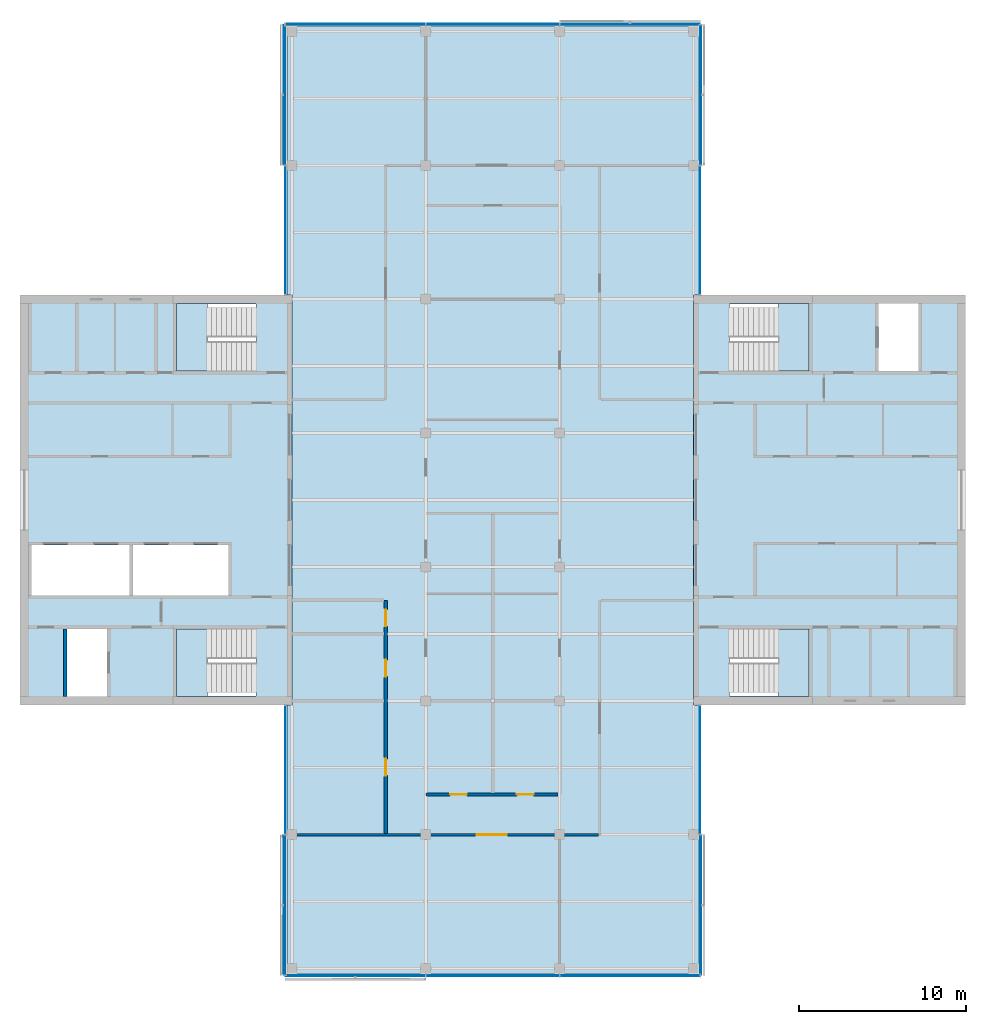
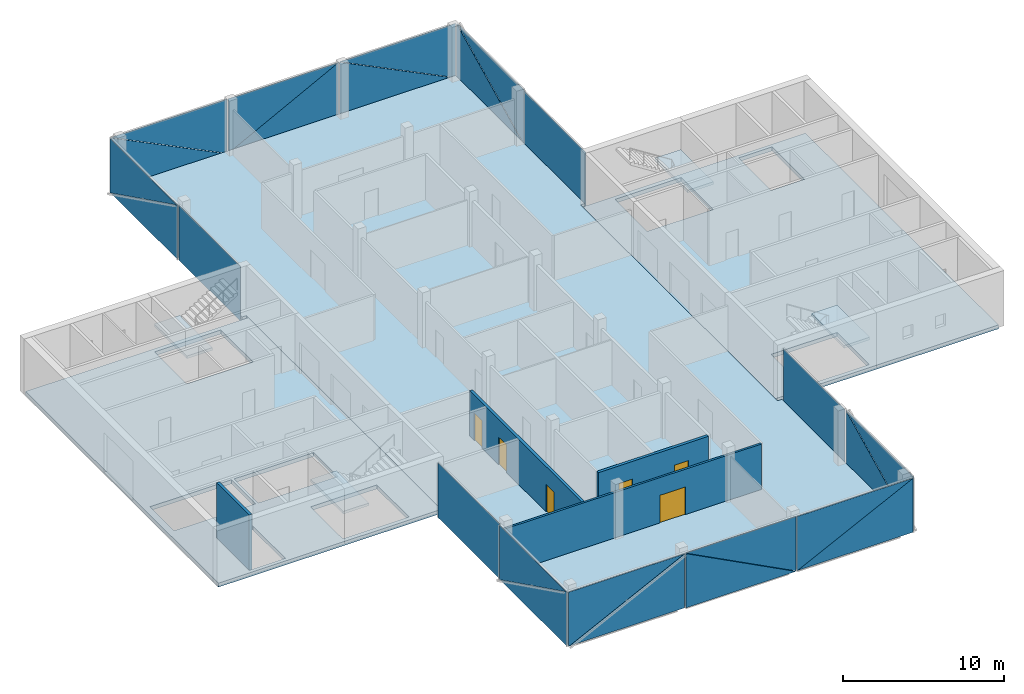
# One storey, part 8 of 15: 24 plates, 7 slabs, 6 doors, 4 walls, 6 openings, 14 elements without a shape of their own.
"""IFC4 building model written with IfcOpenShell, lengths in metres."""

from ifc_helpers import new_model, si_unit, direction, frame, frame_2d, origin, place, context, subcontext, project, spatial, polyline, rectangle, outline, extrude, material, layer, layer_set, type_object, element, fill, aggregate, save


model = new_model("IFC4")

# Units and contexts
model_context = context("Model", 3, precision=1e-05, world=origin(), true_north=direction((0.0, 1.0)))
body_context = subcontext(model_context, "Body", "Model", "MODEL_VIEW")
ifc_project = project(units=[si_unit("LENGTHUNIT", "METRE"), si_unit("AREAUNIT", "SQUARE_METRE"), si_unit("VOLUMEUNIT", "CUBIC_METRE"), si_unit("PLANEANGLEUNIT", "RADIAN"), si_unit("MASSUNIT", "GRAM", prefix="KILO")], contexts=[model_context])

# Site, building, storey
site_placement = place(None, origin())
site = spatial("IfcSite", under=ifc_project, at=site_placement, CompositionType="ELEMENT")
building_placement = place(site_placement, origin())
building = spatial("IfcBuilding", under=site, at=building_placement, Name="Crosswind Convention Tower", CompositionType="ELEMENT")
storey_placement = place(building_placement, frame((0.0, 0.0, 319.699951171875)))
storey = spatial("IfcBuildingStorey", under=building, at=storey_placement, Name="L69", CompositionType="ELEMENT", Elevation=319.699951171875)

# Slabs
ifc_material_1 = material(Name="Concrete C40/50", Category="concrete")
ifc_layer_1 = layer(ifc_material_1, 0.300048828125)
ifc_layer_set_1 = layer_set([ifc_layer_1], Name="Concrete C40/50")
slab_type_1 = type_object("IfcSlabType", Name="Composite floor slab 300", PredefinedType="FLOOR", material=ifc_layer_set_1)
slab_1_placement = place(storey_placement, frame((0.0, 0.0, -0.300048828125)))
element("IfcSlab", 1, at=slab_1_placement, inside=storey, type_object=slab_type_1, Name="Floor slab L69", PredefinedType="FLOOR", context=body_context, shape_type="SweptSolid", body=[
    extrude(outline(polyline([(137.300048828125, 71.699951171875), (137.0, 71.699951171875), (113.0, 71.699951171875), (112.699951171875, 71.699951171875), (112.699951171875, 72.0), (112.699951171875, 87.75), (113.0, 87.75), (113.0, 112.25), (112.699951171875, 112.25), (112.699951171875, 128.0), (112.699951171875, 128.300048828125), (113.0, 128.300048828125), (137.0, 128.300048828125), (137.300048828125, 128.300048828125), (137.300048828125, 128.0), (137.300048828125, 112.25), (137.0, 112.25), (137.0, 87.75), (137.300048828125, 87.75), (137.300048828125, 72.0), (137.300048828125, 71.699951171875)])), origin(), (0.0, 0.0, 1.0), 0.300048828125),
])
ifc_layer_2 = layer(ifc_material_1, 0.300048828125)
ifc_layer_set_2 = layer_set([ifc_layer_2], Name="Concrete C40/50")
slab_type_2 = type_object("IfcSlabType", Name="Concrete core floor slab 300", PredefinedType="FLOOR", material=ifc_layer_set_2)
slab_2_placement = place(storey_placement, frame((0.0, 0.0, -0.300048828125)))
element("IfcSlab", 2, at=slab_2_placement, inside=storey, type_object=slab_type_2, Name="Core floor slab E L69", PredefinedType="FLOOR", context=body_context, shape_type="SweptSolid", body=[
    extrude(outline(polyline([(137.0, 88.0), (153.0, 88.0), (153.0, 112.0), (137.0, 112.0), (137.0, 88.0)]), holes=[polyline([(150.449951171875, 107.699951171875), (150.449951171875, 111.75), (148.050048828125, 111.75), (148.050048828125, 107.699951171875), (150.449951171875, 107.699951171875)]), polyline([(143.89990234375, 107.699951171875), (143.89990234375, 111.699951171875), (139.14990234375, 111.699951171875), (139.14990234375, 107.699951171875), (143.89990234375, 107.699951171875)]), polyline([(143.89990234375, 88.300048828125), (143.89990234375, 92.300048828125), (139.14990234375, 92.300048828125), (139.14990234375, 88.300048828125), (143.89990234375, 88.300048828125)])]), origin(), (0.0, 0.0, 1.0), 0.300048828125),
])
slab_3_placement = place(storey_placement, frame((0.0, 0.0, -0.300048828125)))
element("IfcSlab", 3, at=slab_3_placement, inside=storey, type_object=slab_type_2, Name="Core floor slab W L69", PredefinedType="FLOOR", context=body_context, shape_type="SweptSolid", body=[
    extrude(outline(polyline([(97.0, 88.0), (113.0, 88.0), (113.0, 112.0), (97.0, 112.0), (97.0, 88.0)]), holes=[polyline([(109.199951171875, 94.300048828125), (109.199951171875, 97.300048828125), (103.5, 97.300048828125), (103.5, 94.300048828125), (109.199951171875, 94.300048828125)]), polyline([(103.300048828125, 94.300048828125), (103.300048828125, 97.300048828125), (97.449951171875, 97.300048828125), (97.449951171875, 94.300048828125), (103.300048828125, 94.300048828125)]), polyline([(101.949951171875, 88.25), (101.949951171875, 92.300048828125), (99.550048828125, 92.300048828125), (99.550048828125, 88.25), (101.949951171875, 88.25)]), polyline([(110.85009765625, 88.300048828125), (110.85009765625, 92.300048828125), (106.10009765625, 92.300048828125), (106.10009765625, 88.300048828125), (110.85009765625, 88.300048828125)]), polyline([(110.85009765625, 107.699951171875), (110.85009765625, 111.699951171875), (106.10009765625, 111.699951171875), (106.10009765625, 107.699951171875), (110.85009765625, 107.699951171875)])]), origin(), (0.0, 0.0, 1.0), 0.300048828125),
])

# Stair, slab
stair_type = type_object("IfcStairType", Name="Exit stair 1800 wide, 2 flights of 11 risers", PredefinedType="HALF_TURN_STAIR", material=ifc_material_1)
stair_1_placement = place(storey_placement, origin())
stair_1 = element("IfcStair", 4, at=stair_1_placement, inside=storey, type_object=stair_type, Name="Exit stair ST1 L69", ObjectType="ST5", PredefinedType="HALF_TURN_STAIR")
ifc_layer_3 = layer(ifc_material_1, 0.199951171875)
ifc_layer_set_3 = layer_set([ifc_layer_3], Name="Concrete C40/50")
slab_type_3 = type_object("IfcSlabType", Name="Stair landing 200", PredefinedType="LANDING", material=ifc_layer_set_3)
slab_4_placement = place(storey_placement, frame((0.0, 0.0, 1.900146484375)))
slab_4 = element("IfcSlab", 5, at=slab_4_placement, type_object=slab_type_3, Name="ST1 landing 1", PredefinedType="LANDING", context=body_context, shape_type="SweptSolid", body=[
    extrude(outline(polyline([(143.89990234375, 107.699951171875), (143.89990234375, 111.75), (142.050048828125, 111.75), (142.050048828125, 107.699951171875), (143.89990234375, 107.699951171875)])), origin(), (0.0, 0.0, 1.0), 0.199951171875),
])
aggregate(stair_1, [slab_4])

stair_2_placement = place(storey_placement, origin())
stair_2 = element("IfcStair", 6, at=stair_2_placement, inside=storey, type_object=stair_type, Name="Exit stair ST2 L69", ObjectType="ST5", PredefinedType="HALF_TURN_STAIR")
slab_5_placement = place(storey_placement, frame((0.0, 0.0, 1.900146484375)))
slab_5 = element("IfcSlab", 7, at=slab_5_placement, type_object=slab_type_3, Name="ST2 landing 1", PredefinedType="LANDING", context=body_context, shape_type="SweptSolid", body=[
    extrude(outline(polyline([(143.89990234375, 88.25), (143.89990234375, 92.300048828125), (142.050048828125, 92.300048828125), (142.050048828125, 88.25), (143.89990234375, 88.25)])), origin(), (0.0, 0.0, 1.0), 0.199951171875),
])
aggregate(stair_2, [slab_5])

stair_3_placement = place(storey_placement, origin())
stair_3 = element("IfcStair", 8, at=stair_3_placement, inside=storey, type_object=stair_type, Name="Exit stair ST3 L69", ObjectType="ST5", PredefinedType="HALF_TURN_STAIR")
slab_6_placement = place(storey_placement, frame((0.0, 0.0, 1.900146484375)))
slab_6 = element("IfcSlab", 9, at=slab_6_placement, type_object=slab_type_3, Name="ST3 landing 1", PredefinedType="LANDING", context=body_context, shape_type="SweptSolid", body=[
    extrude(outline(polyline([(107.949951171875, 88.25), (107.949951171875, 92.300048828125), (106.10009765625, 92.300048828125), (106.10009765625, 88.25), (107.949951171875, 88.25)])), origin(), (0.0, 0.0, 1.0), 0.199951171875),
])
aggregate(stair_3, [slab_6])

stair_4_placement = place(storey_placement, origin())
stair_4 = element("IfcStair", 10, at=stair_4_placement, inside=storey, type_object=stair_type, Name="Exit stair ST4 L69", ObjectType="ST5", PredefinedType="HALF_TURN_STAIR")
slab_7_placement = place(storey_placement, frame((0.0, 0.0, 1.900146484375)))
slab_7 = element("IfcSlab", 11, at=slab_7_placement, type_object=slab_type_3, Name="ST4 landing 1", PredefinedType="LANDING", context=body_context, shape_type="SweptSolid", body=[
    extrude(outline(polyline([(107.949951171875, 107.699951171875), (107.949951171875, 111.75), (106.10009765625, 111.75), (106.10009765625, 107.699951171875), (107.949951171875, 107.699951171875)])), origin(), (0.0, 0.0, 1.0), 0.199951171875),
])
aggregate(stair_4, [slab_7])

# Curtain wall, plate
ifc_material_2 = material(Name="Aluminium unitised curtain wall", Category="aluminium")
curtain_wall_type_1 = type_object("IfcCurtainWallType", Name="CORE END SLOT WALL 160", PredefinedType="USERDEFINED", material=ifc_material_2)
curtain_wall_1_placement = place(storey_placement, origin())
curtain_wall_1 = element("IfcCurtainWall", 12, at=curtain_wall_1_placement, inside=storey, type_object=curtain_wall_type_1, Name="CW6 L69 N-E.1-1 slot", ObjectType="UNITISED", PredefinedType="USERDEFINED")
ifc_material_3 = material(Name="Laminated insulating glass unit", Category="glass")
ifc_layer_4 = layer(ifc_material_3, 0.02587890625)
ifc_layer_set_4 = layer_set([ifc_layer_4], Name="TRIANGULAR GLASS PANEL 26")
plate_type_1 = type_object("IfcPlateType", Name="TRIANGULAR GLASS PANEL 26", PredefinedType="CURTAIN_PANEL", material=ifc_layer_set_4)
plate_1_placement = place(storey_placement, frame((137.40673828125, 112.300048828125, -0.300048828125), z_axis=(0.999999937709, 0.0, 0.000352961917), x_axis=(0.0, 1.0, 0.0)))
plate_1 = element("IfcPlate", 13, at=plate_1_placement, type_object=plate_type_1, Name="CW6 panel 1.1", PredefinedType="CURTAIN_PANEL", context=body_context, shape_type="SweptSolid", body=[
    extrude(outline(polyline([(0.0, 0.0), (7.64990234375, 0.0), (7.64990234375, 4.150146742892037), (0.0, 4.150146742892037), (0.0, 0.0)])), origin(), (0.0, 0.0, -1.0), 0.02587890625),
])
aggregate(curtain_wall_1, [plate_1])

curtain_wall_2_placement = place(storey_placement, origin())
curtain_wall_2 = element("IfcCurtainWall", 14, at=curtain_wall_2_placement, inside=storey, type_object=curtain_wall_type_1, Name="CW6 L69 N-W.1-2 slot", ObjectType="UNITISED", PredefinedType="USERDEFINED")
plate_2_placement = place(storey_placement, frame((112.59326171875, 119.949951171875, -0.300048828125), z_axis=(-0.999999937709, 0.0, 0.000352961917), x_axis=(0.0, -1.0, 0.0)))
plate_2 = element("IfcPlate", 15, at=plate_2_placement, type_object=plate_type_1, Name="CW6 panel 1.1", PredefinedType="CURTAIN_PANEL", context=body_context, shape_type="SweptSolid", body=[
    extrude(outline(polyline([(0.0, 0.0), (7.64990234375, 0.0), (7.64990234375, 4.150146742892037), (0.0, 4.150146742892037), (0.0, 0.0)])), origin(), (0.0, 0.0, -1.0), 0.02587890625),
])
aggregate(curtain_wall_2, [plate_2])

curtain_wall_3_placement = place(storey_placement, origin())
curtain_wall_3 = element("IfcCurtainWall", 16, at=curtain_wall_3_placement, inside=storey, type_object=curtain_wall_type_1, Name="CW6 L69 S-W.1-1 slot", ObjectType="UNITISED", PredefinedType="USERDEFINED")
plate_3_placement = place(storey_placement, frame((112.59326171875, 87.699951171875, -0.300048828125), z_axis=(-0.999999937709, 0.0, 0.000352961917), x_axis=(0.0, -1.0, 0.0)))
plate_3 = element("IfcPlate", 17, at=plate_3_placement, type_object=plate_type_1, Name="CW6 panel 1.1", PredefinedType="CURTAIN_PANEL", context=body_context, shape_type="SweptSolid", body=[
    extrude(outline(polyline([(0.0, 0.0), (7.64990234375, 0.0), (7.64990234375, 4.150146742892037), (0.0, 4.150146742892037), (0.0, 0.0)])), origin(), (0.0, 0.0, -1.0), 0.02587890625),
])
aggregate(curtain_wall_3, [plate_3])

curtain_wall_4_placement = place(storey_placement, origin())
curtain_wall_4 = element("IfcCurtainWall", 18, at=curtain_wall_4_placement, inside=storey, type_object=curtain_wall_type_1, Name="CW6 L69 S-E.1-2 slot", ObjectType="UNITISED", PredefinedType="USERDEFINED")
plate_4_placement = place(storey_placement, frame((137.40673828125, 80.050048828125, -0.300048828125), z_axis=(0.999999937709, 0.0, 0.000352961917), x_axis=(0.0, 1.0, 0.0)))
plate_4 = element("IfcPlate", 19, at=plate_4_placement, type_object=plate_type_1, Name="CW6 panel 1.1", PredefinedType="CURTAIN_PANEL", context=body_context, shape_type="SweptSolid", body=[
    extrude(outline(polyline([(0.0, 0.0), (7.64990234375, 0.0), (7.64990234375, 4.150146742892037), (0.0, 4.150146742892037), (0.0, 0.0)])), origin(), (0.0, 0.0, -1.0), 0.02587890625),
])
aggregate(curtain_wall_4, [plate_4])

# Curtain wall, plates
curtain_wall_type_2 = type_object("IfcCurtainWallType", Name="OFFICE UNITISED WALL 220", PredefinedType="USERDEFINED", material=ifc_material_2)
curtain_wall_5_placement = place(storey_placement, origin())
curtain_wall_5 = element("IfcCurtainWall", 20, at=curtain_wall_5_placement, inside=storey, type_object=curtain_wall_type_2, Name="CW3 L69 N-E 1", ObjectType="UNITISED", PredefinedType="USERDEFINED")
ifc_layer_5 = layer(ifc_material_3, 0.031982421875)
ifc_layer_set_5 = layer_set([ifc_layer_5], Name="TRIANGULAR GLASS PANEL 32")
plate_type_2 = type_object("IfcPlateType", Name="TRIANGULAR GLASS PANEL 32", PredefinedType="CURTAIN_PANEL", material=ifc_layer_set_5)
plate_5_placement = place(storey_placement, frame((137.44287109375, 128.375, -0.300048828125), z_axis=(0.999999913924, 0.0, 0.000414913129), x_axis=(-0.000414913129, 0.0, 0.999999913924)))
plate_5 = element("IfcPlate", 21, at=plate_5_placement, type_object=plate_type_2, Name="CW3 panel 1.1", PredefinedType="CURTAIN_PANEL", context=body_context, shape_type="SweptSolid", body=[
    extrude(outline(polyline([(0.0, 0.0), (4.118896838915043, 0.0), (0.0, 8.317382812500002), (0.0, 0.0)])), origin(), (0.0, 0.0, -1.0), 0.031982421875),
])
plate_6_placement = place(storey_placement, frame((137.47509765625, 120.034912109375, 3.830078125), z_axis=(0.999999913924, 0.0, 0.000414913129), x_axis=(0.000414913129, 0.0, -0.999999913924)))
plate_6 = element("IfcPlate", 22, at=plate_6_placement, type_object=plate_type_2, Name="CW3 panel 1.2", PredefinedType="CURTAIN_PANEL", context=body_context, shape_type="SweptSolid", body=[
    extrude(outline(polyline([(0.0, 0.0), (4.118896838915043, 0.0), (0.0, 8.317626953124998), (0.0, 0.0)])), origin(), (0.0, 0.0, -1.0), 0.031982421875),
])
aggregate(curtain_wall_5, [plate_5, plate_6])

curtain_wall_6_placement = place(storey_placement, origin())
curtain_wall_6 = element("IfcCurtainWall", 23, at=curtain_wall_6_placement, inside=storey, type_object=curtain_wall_type_2, Name="CW3 L69 N-TIP 1", ObjectType="UNITISED", PredefinedType="USERDEFINED")
plate_7_placement = place(storey_placement, frame((129.034912109375, 128.44287109375, -0.300048828125), z_axis=(0.0, 0.999999913924, 0.000414913129), x_axis=(0.0, -0.000414913129, 0.999999913924)))
plate_7 = element("IfcPlate", 24, at=plate_7_placement, type_object=plate_type_2, Name="CW3 panel 1.1", PredefinedType="CURTAIN_PANEL", context=body_context, shape_type="SweptSolid", body=[
    extrude(outline(polyline([(0.0, 0.0), (4.118896838915043, 0.0), (0.0, 8.317626953124998), (0.0, 0.0)])), origin(), (0.0, 0.0, -1.0), 0.031982421875),
])
plate_8_placement = place(storey_placement, frame((137.375, 128.47509765625, 3.830078125), z_axis=(0.0, 0.999999913924, 0.000414913129), x_axis=(0.0, 0.000414913129, -0.999999913924)))
plate_8 = element("IfcPlate", 25, at=plate_8_placement, type_object=plate_type_2, Name="CW3 panel 1.2", PredefinedType="CURTAIN_PANEL", context=body_context, shape_type="SweptSolid", body=[
    extrude(outline(polyline([(0.0, 0.0), (4.118896838915043, 0.0), (0.0, 8.317382812500002), (0.0, 0.0)])), origin(), (0.0, 0.0, -1.0), 0.031982421875),
])
plate_9_placement = place(storey_placement, frame((121.034912109375, 128.441162109375, 3.830078125), z_axis=(0.0, 0.999999913913, 0.000414937724), x_axis=(1.0, 0.0, 0.0)))
plate_9 = element("IfcPlate", 26, at=plate_9_placement, type_object=plate_type_2, Name="CW3 panel 2.1", PredefinedType="CURTAIN_PANEL", context=body_context, shape_type="SweptSolid", body=[
    extrude(outline(polyline([(0.0, 0.0), (7.908447265625, 0.0), (0.0, 4.118652698311059), (0.0, 0.0)])), origin(), (0.0, 0.0, -1.0), 0.031982421875),
])
plate_10_placement = place(storey_placement, frame((128.965087890625, 128.476806640625, -0.300048828125), z_axis=(0.0, 0.999999913924, 0.000414913129), x_axis=(-1.0, 0.0, 0.0)))
plate_10 = element("IfcPlate", 27, at=plate_10_placement, type_object=plate_type_2, Name="CW3 panel 2.2", PredefinedType="CURTAIN_PANEL", context=body_context, shape_type="SweptSolid", body=[
    extrude(outline(polyline([(0.0, 0.0), (7.908447265625, 0.0), (0.0, 4.118896838915043), (0.0, 0.0)])), origin(), (0.0, 0.0, -1.0), 0.031982421875),
])
plate_11_placement = place(storey_placement, frame((112.625, 128.44287109375, -0.300048828125), z_axis=(0.0, 0.999999913924, 0.000414913129), x_axis=(0.0, -0.000414913129, 0.999999913924)))
plate_11 = element("IfcPlate", 28, at=plate_11_placement, type_object=plate_type_2, Name="CW3 panel 3.1", PredefinedType="CURTAIN_PANEL", context=body_context, shape_type="SweptSolid", body=[
    extrude(outline(polyline([(0.0, 0.0), (4.118896838915043, 0.0), (0.0, 8.317382812500002), (0.0, 0.0)])), origin(), (0.0, 0.0, -1.0), 0.031982421875),
])
plate_12_placement = place(storey_placement, frame((120.965087890625, 128.47509765625, 3.830078125), z_axis=(0.0, 0.999999913924, 0.000414913129), x_axis=(0.0, 0.000414913129, -0.999999913924)))
plate_12 = element("IfcPlate", 29, at=plate_12_placement, type_object=plate_type_2, Name="CW3 panel 3.2", PredefinedType="CURTAIN_PANEL", context=body_context, shape_type="SweptSolid", body=[
    extrude(outline(polyline([(0.0, 0.0), (4.118896838915043, 0.0), (0.0, 8.317626953124998), (0.0, 0.0)])), origin(), (0.0, 0.0, -1.0), 0.031982421875),
])
aggregate(curtain_wall_6, [plate_7, plate_8, plate_9, plate_10, plate_11, plate_12])

curtain_wall_7_placement = place(storey_placement, origin())
curtain_wall_7 = element("IfcCurtainWall", 30, at=curtain_wall_7_placement, inside=storey, type_object=curtain_wall_type_2, Name="CW3 L69 N-W 1", ObjectType="UNITISED", PredefinedType="USERDEFINED")
plate_13_placement = place(storey_placement, frame((112.55712890625, 120.034912109375, -0.300048828125), z_axis=(-0.999999913924, 0.0, 0.000414913129), x_axis=(0.000414913129, 0.0, 0.999999913924)))
plate_13 = element("IfcPlate", 31, at=plate_13_placement, type_object=plate_type_2, Name="CW3 panel 1.1", PredefinedType="CURTAIN_PANEL", context=body_context, shape_type="SweptSolid", body=[
    extrude(outline(polyline([(0.0, 0.0), (4.118896838915043, 0.0), (0.0, 8.317626953124998), (0.0, 0.0)])), origin(), (0.0, 0.0, -1.0), 0.031982421875),
])
plate_14_placement = place(storey_placement, frame((112.52490234375, 128.375, 3.830078125), z_axis=(-0.999999913924, 0.0, 0.000414913129), x_axis=(-0.000414913129, 0.0, -0.999999913924)))
plate_14 = element("IfcPlate", 32, at=plate_14_placement, type_object=plate_type_2, Name="CW3 panel 1.2", PredefinedType="CURTAIN_PANEL", context=body_context, shape_type="SweptSolid", body=[
    extrude(outline(polyline([(0.0, 0.0), (4.118896838915043, 0.0), (0.0, 8.317382812500002), (0.0, 0.0)])), origin(), (0.0, 0.0, -1.0), 0.031982421875),
])
aggregate(curtain_wall_7, [plate_13, plate_14])

curtain_wall_8_placement = place(storey_placement, origin())
curtain_wall_8 = element("IfcCurtainWall", 33, at=curtain_wall_8_placement, inside=storey, type_object=curtain_wall_type_2, Name="CW3 L69 S-W 1", ObjectType="UNITISED", PredefinedType="USERDEFINED")
plate_15_placement = place(storey_placement, frame((112.55712890625, 71.625, -0.300048828125), z_axis=(-0.999999913924, 0.0, 0.000414913129), x_axis=(0.000414913129, 0.0, 0.999999913924)))
plate_15 = element("IfcPlate", 34, at=plate_15_placement, type_object=plate_type_2, Name="CW3 panel 1.1", PredefinedType="CURTAIN_PANEL", context=body_context, shape_type="SweptSolid", body=[
    extrude(outline(polyline([(0.0, 0.0), (4.118896838915043, 0.0), (0.0, 8.317382812500002), (0.0, 0.0)])), origin(), (0.0, 0.0, -1.0), 0.031982421875),
])
plate_16_placement = place(storey_placement, frame((112.52490234375, 79.965087890625, 3.830078125), z_axis=(-0.999999913924, 0.0, 0.000414913129), x_axis=(-0.000414913129, 0.0, -0.999999913924)))
plate_16 = element("IfcPlate", 35, at=plate_16_placement, type_object=plate_type_2, Name="CW3 panel 1.2", PredefinedType="CURTAIN_PANEL", context=body_context, shape_type="SweptSolid", body=[
    extrude(outline(polyline([(0.0, 0.0), (4.118896838915043, 0.0), (0.0, 8.317626953124998), (0.0, 0.0)])), origin(), (0.0, 0.0, -1.0), 0.031982421875),
])
aggregate(curtain_wall_8, [plate_15, plate_16])

curtain_wall_9_placement = place(storey_placement, origin())
curtain_wall_9 = element("IfcCurtainWall", 36, at=curtain_wall_9_placement, inside=storey, type_object=curtain_wall_type_2, Name="CW3 L69 S-TIP 1", ObjectType="UNITISED", PredefinedType="USERDEFINED")
plate_17_placement = place(storey_placement, frame((120.965087890625, 71.55712890625, -0.300048828125), z_axis=(0.0, -0.999999913924, 0.000414913129), x_axis=(0.0, 0.000414913129, 0.999999913924)))
plate_17 = element("IfcPlate", 37, at=plate_17_placement, type_object=plate_type_2, Name="CW3 panel 1.1", PredefinedType="CURTAIN_PANEL", context=body_context, shape_type="SweptSolid", body=[
    extrude(outline(polyline([(0.0, 0.0), (4.118896838915043, 0.0), (0.0, 8.317626953124998), (0.0, 0.0)])), origin(), (0.0, 0.0, -1.0), 0.031982421875),
])
plate_18_placement = place(storey_placement, frame((112.625, 71.52490234375, 3.830078125), z_axis=(0.0, -0.999999913924, 0.000414913129), x_axis=(0.0, -0.000414913129, -0.999999913924)))
plate_18 = element("IfcPlate", 38, at=plate_18_placement, type_object=plate_type_2, Name="CW3 panel 1.2", PredefinedType="CURTAIN_PANEL", context=body_context, shape_type="SweptSolid", body=[
    extrude(outline(polyline([(0.0, 0.0), (4.118896838915043, 0.0), (0.0, 8.317382812500002), (0.0, 0.0)])), origin(), (0.0, 0.0, -1.0), 0.031982421875),
])
plate_19_placement = place(storey_placement, frame((128.965087890625, 71.558837890625, 3.830078125), z_axis=(0.0, -0.999999913913, 0.000414937724), x_axis=(-1.0, 0.0, 0.0)))
plate_19 = element("IfcPlate", 39, at=plate_19_placement, type_object=plate_type_2, Name="CW3 panel 2.1", PredefinedType="CURTAIN_PANEL", context=body_context, shape_type="SweptSolid", body=[
    extrude(outline(polyline([(0.0, 0.0), (7.908447265625, 0.0), (0.0, 4.118652698311059), (0.0, 0.0)])), origin(), (0.0, 0.0, -1.0), 0.031982421875),
])
plate_20_placement = place(storey_placement, frame((121.034912109375, 71.523193359375, -0.300048828125), z_axis=(0.0, -0.999999913924, 0.000414913129), x_axis=(1.0, 0.0, 0.0)))
plate_20 = element("IfcPlate", 40, at=plate_20_placement, type_object=plate_type_2, Name="CW3 panel 2.2", PredefinedType="CURTAIN_PANEL", context=body_context, shape_type="SweptSolid", body=[
    extrude(outline(polyline([(0.0, 0.0), (7.908447265625, 0.0), (0.0, 4.118896838915043), (0.0, 0.0)])), origin(), (0.0, 0.0, -1.0), 0.031982421875),
])
plate_21_placement = place(storey_placement, frame((137.375, 71.55712890625, -0.300048828125), z_axis=(0.0, -0.999999913924, 0.000414913129), x_axis=(0.0, 0.000414913129, 0.999999913924)))
plate_21 = element("IfcPlate", 41, at=plate_21_placement, type_object=plate_type_2, Name="CW3 panel 3.1", PredefinedType="CURTAIN_PANEL", context=body_context, shape_type="SweptSolid", body=[
    extrude(outline(polyline([(0.0, 0.0), (4.118896838915043, 0.0), (0.0, 8.317382812500002), (0.0, 0.0)])), origin(), (0.0, 0.0, -1.0), 0.031982421875),
])
plate_22_placement = place(storey_placement, frame((129.034912109375, 71.52490234375, 3.830078125), z_axis=(0.0, -0.999999913924, 0.000414913129), x_axis=(0.0, -0.000414913129, -0.999999913924)))
plate_22 = element("IfcPlate", 42, at=plate_22_placement, type_object=plate_type_2, Name="CW3 panel 3.2", PredefinedType="CURTAIN_PANEL", context=body_context, shape_type="SweptSolid", body=[
    extrude(outline(polyline([(0.0, 0.0), (4.118896838915043, 0.0), (0.0, 8.317626953124998), (0.0, 0.0)])), origin(), (0.0, 0.0, -1.0), 0.031982421875),
])
aggregate(curtain_wall_9, [plate_17, plate_18, plate_19, plate_20, plate_21, plate_22])

curtain_wall_10_placement = place(storey_placement, origin())
curtain_wall_10 = element("IfcCurtainWall", 43, at=curtain_wall_10_placement, inside=storey, type_object=curtain_wall_type_2, Name="CW3 L69 S-E 1", ObjectType="UNITISED", PredefinedType="USERDEFINED")
plate_23_placement = place(storey_placement, frame((137.44287109375, 79.965087890625, -0.300048828125), z_axis=(0.999999913924, 0.0, 0.000414913129), x_axis=(-0.000414913129, 0.0, 0.999999913924)))
plate_23 = element("IfcPlate", 44, at=plate_23_placement, type_object=plate_type_2, Name="CW3 panel 1.1", PredefinedType="CURTAIN_PANEL", context=body_context, shape_type="SweptSolid", body=[
    extrude(outline(polyline([(0.0, 0.0), (4.118896838915043, 0.0), (0.0, 8.317626953124998), (0.0, 0.0)])), origin(), (0.0, 0.0, -1.0), 0.031982421875),
])
plate_24_placement = place(storey_placement, frame((137.47509765625, 71.625, 3.830078125), z_axis=(0.999999913924, 0.0, 0.000414913129), x_axis=(0.000414913129, 0.0, -0.999999913924)))
plate_24 = element("IfcPlate", 45, at=plate_24_placement, type_object=plate_type_2, Name="CW3 panel 1.2", PredefinedType="CURTAIN_PANEL", context=body_context, shape_type="SweptSolid", body=[
    extrude(outline(polyline([(0.0, 0.0), (4.118896838915043, 0.0), (0.0, 8.317382812500002), (0.0, 0.0)])), origin(), (0.0, 0.0, -1.0), 0.031982421875),
])
aggregate(curtain_wall_10, [plate_23, plate_24])

# Wall, openings, doors
ifc_material_4 = material(Name="Concrete blockwork", Category="masonry")
ifc_layer_6 = layer(ifc_material_4, 0.199951171875)
ifc_layer_set_6 = layer_set([ifc_layer_6], Name="COMPARTMENT WALL 200 BLOCKWORK")
wall_type_1 = type_object("IfcWallType", Name="COMPARTMENT WALL 200 BLOCKWORK", PredefinedType="SOLIDWALL", material=ifc_layer_set_6)
wall_1_placement = place(storey_placement, frame((118.60009765625, 80.074951171875, 0.0), z_axis=(0.0, 0.0, 1.0), x_axis=(0.0, 1.0, 0.0)))
wall_1 = element("IfcWall", 46, at=wall_1_placement, inside=storey, type_object=wall_type_1, Name="Compartment wall WT42", PredefinedType="SOLIDWALL", context=body_context, shape_type="SweptSolid", body=[
    extrude(rectangle(XDim=13.925048828125, YDim=0.199951171875, at=frame_2d((6.96240234375, 0.0))), origin(), (0.0, 0.0, 1.0), 3.44287109375),
])
opening_1_placement = place(wall_1_placement, frame((12.375, 0.0, 0.0)))
opening_1 = element("IfcOpeningElement", 47, at=opening_1_placement, cuts=wall_1, Name="Opening L69-53", PredefinedType="OPENING", context=body_context, shape_type="SweptSolid", body=[
    extrude(rectangle(XDim=1.0, YDim=2.10009765625, at=frame_2d((0.5, 1.050048828125))), frame((0.0, 0.10986328125, 0.0), z_axis=(0.0, -1.0, 0.0), x_axis=(1.0, 0.0, 0.0)), (0.0, 0.0, 1.0), 0.219970703125),
])
opening_2_placement = place(wall_1_placement, frame((9.375, 0.0, 0.0)))
opening_2 = element("IfcOpeningElement", 48, at=opening_2_placement, cuts=wall_1, Name="Opening L69-54", PredefinedType="OPENING", context=body_context, shape_type="SweptSolid", body=[
    extrude(rectangle(XDim=1.0, YDim=2.10009765625, at=frame_2d((0.5, 1.050048828125))), frame((0.0, 0.10986328125, 0.0), z_axis=(0.0, -1.0, 0.0), x_axis=(1.0, 0.0, 0.0)), (0.0, 0.0, 1.0), 0.219970703125),
])
opening_3_placement = place(wall_1_placement, frame((3.449951171875, 0.0, 0.0)))
opening_3 = element("IfcOpeningElement", 49, at=opening_3_placement, cuts=wall_1, Name="Opening L69-55", PredefinedType="OPENING", context=body_context, shape_type="SweptSolid", body=[
    extrude(rectangle(XDim=1.0, YDim=2.10009765625, at=frame_2d((0.5, 1.050048828125))), frame((0.0, 0.10986328125, 0.0), z_axis=(0.0, -1.0, 0.0), x_axis=(1.0, 0.0, 0.0)), (0.0, 0.0, 1.0), 0.219970703125),
])
ifc_material_5 = material(Name="Steel fire door", Category="steel")
door_type_1 = type_object("IfcDoorType", Name="PLANT ROOM DOOR 1000X2100 FD60", OperationType="NOTDEFINED", PredefinedType="DOOR", material=ifc_material_5)
door_1_placement = place(opening_1_placement, origin())
door_1 = element("IfcDoor", 50, at=door_1_placement, inside=storey, type_object=door_type_1, Name="Door L69-53", ObjectType="D43", OperationType="SINGLE_SWING_LEFT", OverallHeight=2.10009765625, OverallWidth=1.0, PredefinedType="DOOR", context=body_context, shape_type="SweptSolid", body=[
    extrude(rectangle(XDim=1.0, YDim=2.10009765625, at=frame_2d((0.5, 1.050048828125))), frame((0.0, 0.02490234375, 0.0), z_axis=(0.0, -1.0, 0.0), x_axis=(1.0, 0.0, 0.0)), (0.0, 0.0, 1.0), 0.050048828125),
])
fill(opening_1, door_1)
door_2_placement = place(opening_2_placement, origin())
door_2 = element("IfcDoor", 51, at=door_2_placement, inside=storey, type_object=door_type_1, Name="Door L69-54", ObjectType="D43", OperationType="SINGLE_SWING_LEFT", OverallHeight=2.10009765625, OverallWidth=1.0, PredefinedType="DOOR", context=body_context, shape_type="SweptSolid", body=[
    extrude(rectangle(XDim=1.0, YDim=2.10009765625, at=frame_2d((0.5, 1.050048828125))), frame((0.0, 0.02490234375, 0.0), z_axis=(0.0, -1.0, 0.0), x_axis=(1.0, 0.0, 0.0)), (0.0, 0.0, 1.0), 0.050048828125),
])
fill(opening_2, door_2)
ifc_material_6 = material(Name="Timber fire door", Category="wood")
door_type_2 = type_object("IfcDoorType", Name="TENANCY ENTRANCE DOOR 1000X2100 FD30S", OperationType="NOTDEFINED", PredefinedType="DOOR", material=ifc_material_6)
door_3_placement = place(opening_3_placement, origin())
door_3 = element("IfcDoor", 52, at=door_3_placement, inside=storey, type_object=door_type_2, Name="Door L69-55", ObjectType="D41", OperationType="SINGLE_SWING_RIGHT", OverallHeight=2.10009765625, OverallWidth=1.0, PredefinedType="DOOR", context=body_context, shape_type="SweptSolid", body=[
    extrude(rectangle(XDim=1.0, YDim=2.10009765625, at=frame_2d((0.5, 1.050048828125))), frame((0.0, 0.02490234375, 0.0), z_axis=(0.0, -1.0, 0.0), x_axis=(1.0, 0.0, 0.0)), (0.0, 0.0, 1.0), 0.050048828125),
])
fill(opening_3, door_3)

wall_2_placement = place(storey_placement, frame((121.0, 82.39990234375, 0.0), z_axis=(0.0, 0.0, 1.0), x_axis=(1.0, 0.0, 0.0)))
wall_2 = element("IfcWall", 53, at=wall_2_placement, inside=storey, type_object=wall_type_1, Name="Compartment wall WT42", PredefinedType="SOLIDWALL", context=body_context, shape_type="SweptSolid", body=[
    extrude(rectangle(XDim=7.89990234375, YDim=0.199951171875, at=frame_2d((3.949951171875, 0.0))), origin(), (0.0, 0.0, 1.0), 3.44287109375),
])
opening_4_placement = place(wall_2_placement, frame((1.449951171875, 0.0, 0.0)))
opening_4 = element("IfcOpeningElement", 54, at=opening_4_placement, cuts=wall_2, Name="Opening L69-58", PredefinedType="OPENING", context=body_context, shape_type="SweptSolid", body=[
    extrude(rectangle(XDim=1.0, YDim=2.10009765625, at=frame_2d((0.5, 1.050048828125))), frame((0.0, 0.10986328125, 0.0), z_axis=(0.0, -1.0, 0.0), x_axis=(1.0, 0.0, 0.0)), (0.0, 0.0, 1.0), 0.219970703125),
])
opening_5_placement = place(wall_2_placement, frame((5.449951171875, 0.0, 0.0)))
opening_5 = element("IfcOpeningElement", 55, at=opening_5_placement, cuts=wall_2, Name="Opening L69-59", PredefinedType="OPENING", context=body_context, shape_type="SweptSolid", body=[
    extrude(rectangle(XDim=1.0, YDim=2.10009765625, at=frame_2d((0.5, 1.050048828125))), frame((0.0, 0.10986328125, 0.0), z_axis=(0.0, -1.0, 0.0), x_axis=(1.0, 0.0, 0.0)), (0.0, 0.0, 1.0), 0.219970703125),
])
door_4_placement = place(opening_5_placement, origin())
door_4 = element("IfcDoor", 56, at=door_4_placement, inside=storey, type_object=door_type_1, Name="Door L69-59", ObjectType="D43", OperationType="SINGLE_SWING_LEFT", OverallHeight=2.10009765625, OverallWidth=1.0, PredefinedType="DOOR", context=body_context, shape_type="SweptSolid", body=[
    extrude(rectangle(XDim=1.0, YDim=2.10009765625, at=frame_2d((0.5, 1.050048828125))), frame((0.0, 0.02490234375, 0.0), z_axis=(0.0, -1.0, 0.0), x_axis=(1.0, 0.0, 0.0)), (0.0, 0.0, 1.0), 0.050048828125),
])
fill(opening_5, door_4)
door_5_placement = place(opening_4_placement, origin())
door_5 = element("IfcDoor", 57, at=door_5_placement, inside=storey, type_object=door_type_2, Name="Door L69-58", ObjectType="D41", OperationType="SINGLE_SWING_LEFT", OverallHeight=2.10009765625, OverallWidth=1.0, PredefinedType="DOOR", context=body_context, shape_type="SweptSolid", body=[
    extrude(rectangle(XDim=1.0, YDim=2.10009765625, at=frame_2d((0.5, 1.050048828125))), frame((0.0, 0.02490234375, 0.0), z_axis=(0.0, -1.0, 0.0), x_axis=(1.0, 0.0, 0.0)), (0.0, 0.0, 1.0), 0.050048828125),
])
fill(opening_4, door_5)

# Wall
ifc_material_7 = material(Name="Concrete C50/60", Category="concrete")
ifc_layer_7 = layer(ifc_material_7, 0.199951171875)
ifc_layer_set_7 = layer_set([ifc_layer_7], Name="Concrete C50/60")
wall_type_2 = type_object("IfcWallType", Name="Concrete shaft and stair wall 200", PredefinedType="SHEAR", material=ifc_layer_set_7)
wall_3_placement = place(storey_placement, frame((99.449951171875, 92.300048828125, 0.0), z_axis=(0.0, 0.0, 1.0), x_axis=(0.0, -1.0, 0.0)))
element("IfcWall", 58, at=wall_3_placement, inside=storey, type_object=wall_type_2, Name="Wall PFSE W L69", PredefinedType="SHEAR", context=body_context, shape_type="SweptSolid", body=[
    extrude(rectangle(XDim=4.050048828125, YDim=0.199951171875, at=frame_2d((2.02490234375, 0.0))), origin(), (0.0, 0.0, 1.0), 4.199951171875),
])

# Wall, opening, door
ifc_material_8 = material(Name="Fire-board partition with mineral wool", Category="gypsum")
ifc_layer_8 = layer(ifc_material_8, 0.14990234375)
ifc_layer_set_8 = layer_set([ifc_layer_8], Name="TENANCY WALL 150 TWO-HOUR BOARD")
wall_type_3 = type_object("IfcWallType", Name="TENANCY WALL 150 TWO-HOUR BOARD", PredefinedType="PARTITIONING", material=ifc_layer_set_8)
wall_4_placement = place(storey_placement, frame((112.780029296875, 80.0, 0.0), z_axis=(0.0, 0.0, 1.0), x_axis=(1.0, 0.0, 0.0)))
wall_4 = element("IfcWall", 59, at=wall_4_placement, inside=storey, type_object=wall_type_3, Name="Tenancy wall WT41", PredefinedType="PARTITIONING", context=body_context, shape_type="SweptSolid", body=[
    extrude(rectangle(XDim=18.544921875, YDim=0.14990234375, at=frame_2d((9.2724609375, 0.0))), origin(), (0.0, 0.0, 1.0), 3.44287109375),
])
opening_6_placement = place(wall_4_placement, frame((11.27001953125, 0.0, 0.0)))
opening_6 = element("IfcOpeningElement", 60, at=opening_6_placement, cuts=wall_4, Name="Opening L69-57", PredefinedType="OPENING", context=body_context, shape_type="SweptSolid", body=[
    extrude(rectangle(XDim=1.800048828125, YDim=2.10009765625, at=frame_2d((0.89990234375, 1.050048828125))), frame((0.0, 0.0849609375, 0.0), z_axis=(0.0, -1.0, 0.0), x_axis=(1.0, 0.0, 0.0)), (0.0, 0.0, 1.0), 0.169921875),
])
door_type_3 = type_object("IfcDoorType", Name="TENANCY ENTRANCE DOUBLE DOOR 1800X2100 FD30S", OperationType="DOUBLE_DOOR_SINGLE_SWING", PredefinedType="DOOR", material=ifc_material_6)
door_6_placement = place(opening_6_placement, frame((1.800048828125, 0.0, 0.0), z_axis=(0.0, 0.0, 1.0), x_axis=(-1.0, 0.0, 0.0)))
door_6 = element("IfcDoor", 61, at=door_6_placement, inside=storey, type_object=door_type_3, Name="Door L69-57", ObjectType="D42", OperationType="DOUBLE_DOOR_SINGLE_SWING", OverallHeight=2.10009765625, OverallWidth=1.800048828125, PredefinedType="DOOR", context=body_context, shape_type="SweptSolid", body=[
    extrude(rectangle(XDim=1.800048828125, YDim=2.10009765625, at=frame_2d((0.89990234375, 1.050048828125))), frame((0.0, 0.02490234375, 0.0), z_axis=(0.0, -1.0, 0.0), x_axis=(1.0, 0.0, 0.0)), (0.0, 0.0, 1.0), 0.050048828125),
])
fill(opening_6, door_6)

save(model, "model.ifc")
